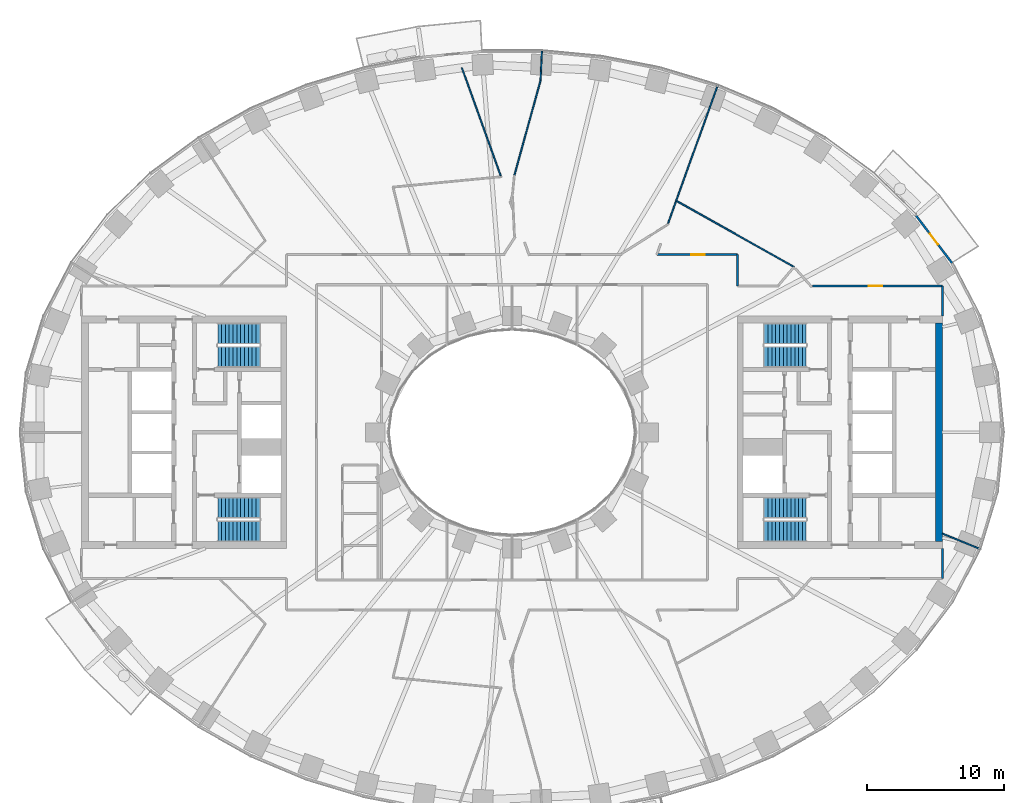
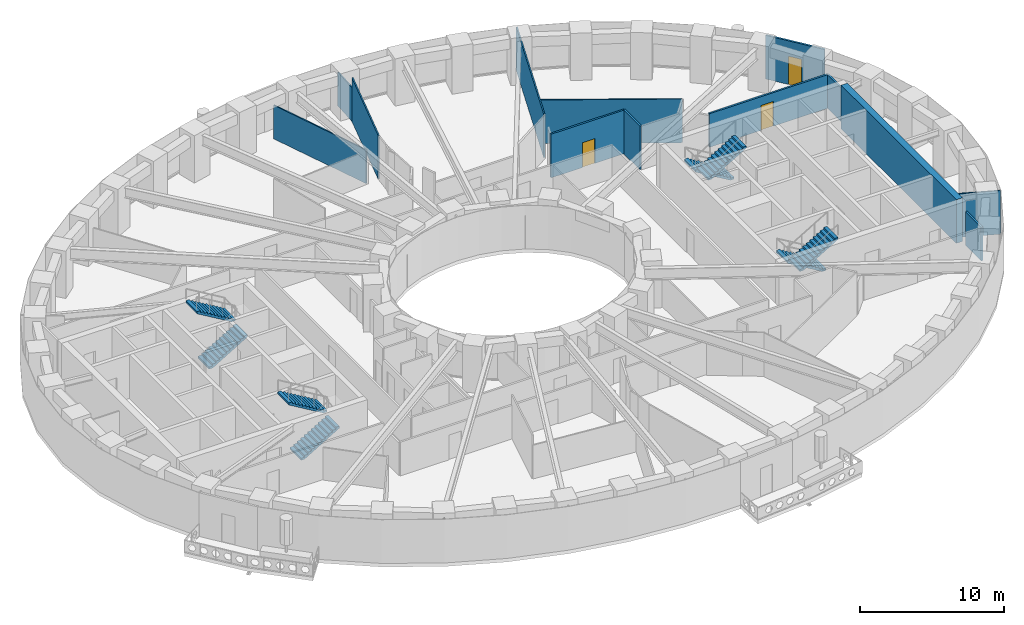
# One storey, part 7 of 16: 13 walls, 8 stair flights, 3 doors, 3 openings, 4 elements without a shape of their own.
"""IFC4 building model written with IfcOpenShell, lengths in metres."""

from ifc_helpers import new_model, si_unit, direction, frame, frame_2d, origin, place, context, subcontext, project, spatial, polyline, rectangle, outline, extrude, material, layer, layer_set, type_object, element, fill, aggregate, save


model = new_model("IFC4")

# Units and contexts
model_context = context("Model", 3, precision=1e-05, world=origin(), true_north=direction((0.0, 1.0)))
body_context = subcontext(model_context, "Body", "Model", "MODEL_VIEW")
ifc_project = project(units=[si_unit("LENGTHUNIT", "METRE"), si_unit("AREAUNIT", "SQUARE_METRE"), si_unit("VOLUMEUNIT", "CUBIC_METRE"), si_unit("PLANEANGLEUNIT", "RADIAN"), si_unit("MASSUNIT", "GRAM", prefix="KILO")], contexts=[model_context])

# Site, building, storey
site_placement = place(None, origin())
site = spatial("IfcSite", under=ifc_project, at=site_placement, CompositionType="ELEMENT")
building_placement = place(site_placement, origin())
building = spatial("IfcBuilding", under=site, at=building_placement, Name="Noorbagh Ring Tower", CompositionType="ELEMENT")
storey_placement = place(building_placement, frame((0.0, 0.0, 42.5)))
storey = spatial("IfcBuildingStorey", under=building, at=storey_placement, Name="L08", CompositionType="ELEMENT", Elevation=42.5)

# Wall
ifc_material_1 = material(Name="Concrete C70/85", Category="concrete")
ifc_layer_1 = layer(ifc_material_1, 0.5)
ifc_layer_set_1 = layer_set([ifc_layer_1], Name="Concrete C70/85")
wall_type_1 = type_object("IfcWallType", Name="CORE-WALL-500-C70-85-EI240", PredefinedType="SHEAR", material=ifc_layer_set_1)
wall_1_placement = place(storey_placement, frame((31.25, -8.0, 0.0), z_axis=(0.0, 0.0, 1.0), x_axis=(0.0, 1.0, 0.0)))
element("IfcWall", 1, at=wall_1_placement, inside=storey, type_object=wall_type_1, Name="Core wall E", PredefinedType="SHEAR", context=body_context, shape_type="SweptSolid", body=[
    extrude(rectangle(XDim=16.0, YDim=0.5, at=frame_2d((8.0, 0.0))), origin(), (0.0, 0.0, 1.0), 3.699951171875),
])

# Wall, opening, door
ifc_material_2 = material(Name="Gypsum board on steel studs", Category="steel")
ifc_layer_2 = layer(ifc_material_2, 0.14990234375)
ifc_layer_set_2 = layer_set([ifc_layer_2], Name="Gypsum board on steel studs")
wall_type_2 = type_object("IfcWallType", Name="CORRIDOR PARTITION 150 EI 30", PredefinedType="PARTITIONING", material=ifc_layer_set_2)
wall_2_placement = place(storey_placement, frame((10.60693359375, 13.0, 0.0), z_axis=(0.0, 0.0, 1.0), x_axis=(1.0, 0.0, 0.0)))
wall_2 = element("IfcWall", 2, at=wall_2_placement, inside=storey, type_object=wall_type_2, Name="L08/wall/P68", PredefinedType="PARTITIONING", context=body_context, shape_type="SweptSolid", body=[
    extrude(rectangle(XDim=5.89306640625, YDim=0.14990234375, at=frame_2d((2.946533203125, 0.0))), origin(), (0.0, 0.0, 1.0), 3.699951171875),
])
opening_1_placement = place(wall_2_placement, frame((2.492919921875, 0.0, 0.0)))
opening_1 = element("IfcOpeningElement", 3, at=opening_1_placement, cuts=wall_2, Name="Opening D1", PredefinedType="OPENING", context=body_context, shape_type="SweptSolid", body=[
    extrude(rectangle(XDim=1.0, YDim=2.10009765625, at=frame_2d((0.5, 1.050048828125))), frame((0.0, 0.0849609375, 0.0), z_axis=(0.0, -1.0, 0.0), x_axis=(1.0, 0.0, 0.0)), (0.0, 0.0, 1.0), 0.169921875),
])
ifc_material_3 = material(Name="Timber, painted", Category="wood")
door_type_1 = type_object("IfcDoorType", Name="DOOR 1000 X 2100 FD30", OperationType="SINGLE_SWING_LEFT", PredefinedType="DOOR", material=ifc_material_3)
door_1_placement = place(opening_1_placement, origin())
door_1 = element("IfcDoor", 4, at=door_1_placement, inside=storey, type_object=door_type_1, Name="L08-D17", OperationType="SINGLE_SWING_LEFT", OverallHeight=2.10009765625, OverallWidth=1.0, PredefinedType="DOOR", context=body_context, shape_type="SweptSolid", body=[
    extrude(rectangle(XDim=1.0, YDim=2.10009765625, at=frame_2d((0.5, 1.050048828125))), frame((0.0, 0.02490234375, 0.0), z_axis=(0.0, -1.0, 0.0), x_axis=(1.0, 0.0, 0.0)), (0.0, 0.0, 1.0), 0.050048828125),
])
fill(opening_1, door_1)

# Wall
wall_3_placement = place(storey_placement, frame((16.5, 10.699951171875, 0.0), z_axis=(0.0, 0.0, 1.0), x_axis=(0.0, 1.0, 0.0)))
element("IfcWall", 5, at=wall_3_placement, inside=storey, type_object=wall_type_2, Name="L08/wall/P76", PredefinedType="PARTITIONING", context=body_context, shape_type="SweptSolid", body=[
    extrude(rectangle(XDim=2.300048828125, YDim=0.14990234375, at=frame_2d((1.14990234375, 0.0))), origin(), (0.0, 0.0, 1.0), 3.699951171875),
])

# Wall, opening, door
wall_4_placement = place(storey_placement, frame((21.97509765625, 10.699951171875, 0.0), z_axis=(0.0, 0.0, 1.0), x_axis=(1.0, 0.0, 0.0)))
wall_4 = element("IfcWall", 6, at=wall_4_placement, inside=storey, type_object=wall_type_2, Name="L08/wall/P83", PredefinedType="PARTITIONING", context=body_context, shape_type="SweptSolid", body=[
    extrude(rectangle(XDim=9.52490234375, YDim=0.14990234375, at=frame_2d((4.762451171875, 0.0))), origin(), (0.0, 0.0, 1.0), 2.85009765625),
])
opening_2_placement = place(wall_4_placement, frame((4.125, 0.0, 0.0)))
opening_2 = element("IfcOpeningElement", 7, at=opening_2_placement, cuts=wall_4, Name="Opening D1", PredefinedType="OPENING", context=body_context, shape_type="SweptSolid", body=[
    extrude(rectangle(XDim=1.0, YDim=2.10009765625, at=frame_2d((0.5, 1.050048828125))), frame((0.0, 0.0849609375, 0.0), z_axis=(0.0, -1.0, 0.0), x_axis=(1.0, 0.0, 0.0)), (0.0, 0.0, 1.0), 0.169921875),
])
door_2_placement = place(opening_2_placement, origin())
door_2 = element("IfcDoor", 8, at=door_2_placement, inside=storey, type_object=door_type_1, Name="L08-D19", OperationType="SINGLE_SWING_LEFT", OverallHeight=2.10009765625, OverallWidth=1.0, PredefinedType="DOOR", context=body_context, shape_type="SweptSolid", body=[
    extrude(rectangle(XDim=1.0, YDim=2.10009765625, at=frame_2d((0.5, 1.050048828125))), frame((0.0, 0.02490234375, 0.0), z_axis=(0.0, -1.0, 0.0), x_axis=(1.0, 0.0, 0.0)), (0.0, 0.0, 1.0), 0.050048828125),
])
fill(opening_2, door_2)

# Walls
for number, where, z_axis, x_axis, name in (
    (9, (31.5, -10.699951171875, 0.0), (0.0, 0.0, 1.0), (0.0, 1.0, 0.0), "L08/wall/P84"),
    (10, (31.5, 8.5, 0.0), (0.0, 0.0, 1.0), (0.0, 1.0, 0.0), "L08/wall/P86"),
):
    element("IfcWall", number, at=place(storey_placement, frame(where, z_axis=z_axis, x_axis=x_axis)), inside=storey, type_object=wall_type_2, Name=name, PredefinedType="PARTITIONING", context=body_context, shape_type="SweptSolid", body=[
        extrude(rectangle(XDim=2.199951171875, YDim=0.14990234375, at=frame_2d((1.10009765625, 0.0))), origin(), (0.0, 0.0, 1.0), 2.85009765625),
    ])

# Wall, opening, door
ifc_material_4 = material(Name="Insulated aluminium clad panel", Category="aluminium")
ifc_layer_3 = layer(ifc_material_4, 0.14990234375)
ifc_layer_set_3 = layer_set([ifc_layer_3], Name="Insulated aluminium clad panel")
wall_type_3 = type_object("IfcWallType", Name="ENV-WALL-DOOR", PredefinedType="STANDARD", material=ifc_layer_set_3)
wall_5_placement = place(storey_placement, frame((32.20751953125, 12.37353515625, 0.0), z_axis=(0.0, 0.0, 1.0), x_axis=(-0.604045763106, 0.796949632081, 0.0)))
wall_5 = element("IfcWall", 11, at=wall_5_placement, inside=storey, type_object=wall_type_3, Name="Balcony door wall chord 04", PredefinedType="STANDARD", context=body_context, shape_type="SweptSolid", body=[
    extrude(rectangle(XDim=4.42333984375, YDim=0.14990234375, at=frame_2d((2.211669921875, 0.0))), origin(), (0.0, 0.0, 1.0), 3.699951171875),
])
opening_3_placement = place(wall_5_placement, frame((1.711669921875, 0.0, 0.0)))
opening_3 = element("IfcOpeningElement", 12, at=opening_3_placement, cuts=wall_5, Name="Opening D-BL", PredefinedType="OPENING", context=body_context, shape_type="SweptSolid", body=[
    extrude(rectangle(XDim=1.0, YDim=2.39990234375, at=frame_2d((0.5, 1.199951171875))), frame((0.0, 0.0849609375, 0.0), z_axis=(0.0, -1.0, 0.0), x_axis=(1.0, 0.0, 0.0)), (0.0, 0.0, 1.0), 0.169921875),
])
ifc_material_5 = material(Name="Aluminium and glass", Category="aluminium")
door_type_2 = type_object("IfcDoorType", Name="ENV-DOOR-BALCONY", OperationType="SINGLE_SWING_LEFT", PredefinedType="DOOR", material=ifc_material_5)
door_3_placement = place(opening_3_placement, origin())
door_3 = element("IfcDoor", 13, at=door_3_placement, inside=storey, type_object=door_type_2, Name="Balcony door chord 04", OperationType="SINGLE_SWING_LEFT", OverallHeight=2.39990234375, OverallWidth=1.0, PredefinedType="DOOR", context=body_context, shape_type="SweptSolid", body=[
    extrude(rectangle(XDim=1.0, YDim=2.39990234375, at=frame_2d((0.5, 1.199951171875))), frame((0.0, 0.02490234375, 0.0), z_axis=(0.0, -1.0, 0.0), x_axis=(1.0, 0.0, 0.0)), (0.0, 0.0, 1.0), 0.050048828125),
])
fill(opening_3, door_3)

# Walls
ifc_material_6 = material(Name="Gypsum board on steel studs", Category="steel")
ifc_layer_4 = layer(ifc_material_6, 0.10009765625)
ifc_layer_set_4 = layer_set([ifc_layer_4], Name="Gypsum board on steel studs")
wall_type_4 = type_object("IfcWallType", Name="PARTITION 100 GYPSUM", PredefinedType="PARTITIONING", material=ifc_layer_set_4)
wall_6_placement = place(storey_placement, frame((-3.67236328125, 26.678466796875, 0.0), z_axis=(0.0, 0.0, 1.0), x_axis=(0.33844854349, -0.940984900734, 0.0)))
element("IfcWall", 14, at=wall_6_placement, inside=storey, type_object=wall_type_4, Name="L08/wall/P37", PredefinedType="PARTITIONING", context=body_context, shape_type="SweptSolid", body=[
    extrude(rectangle(XDim=8.424560546875, YDim=0.10009765625, at=frame_2d((4.21240234375, 0.0))), origin(), (0.0, 0.0, 1.0), 2.85009765625),
])
wall_7_placement = place(storey_placement, frame((0.172119140625, 18.7958984375, 0.0), z_axis=(0.0, 0.0, 1.0), x_axis=(0.265628515821, 0.964075459486, 0.0)))
element("IfcWall", 15, at=wall_7_placement, inside=storey, type_object=wall_type_4, Name="L08/wall/P51", PredefinedType="PARTITIONING", context=body_context, shape_type="SweptSolid", body=[
    extrude(rectangle(XDim=7.212158203125, YDim=0.10009765625, at=frame_2d((3.60595703125, 0.0))), origin(), (0.0, 0.0, 1.0), 3.699951171875),
])
wall_8_placement = place(storey_placement, frame((2.089111328125, 25.77001953125, 0.0), z_axis=(0.0, 0.0, 1.0), x_axis=(0.04733101585, 0.99887925944, 0.0)))
element("IfcWall", 16, at=wall_8_placement, inside=storey, type_object=wall_type_4, Name="L08/wall/P57", PredefinedType="PARTITIONING", context=body_context, shape_type="SweptSolid", body=[
    extrude(rectangle(XDim=2.13037109375, YDim=0.10009765625, at=frame_2d((1.065185546875, 0.0))), origin(), (0.0, 0.0, 1.0), 2.85009765625),
])
wall_9_placement = place(storey_placement, frame((11.4169921875, 15.281982421875, 0.0), z_axis=(0.0, 0.0, 1.0), x_axis=(0.338283704349, 0.941044172912, 0.0)))
element("IfcWall", 17, at=wall_9_placement, inside=storey, type_object=wall_type_4, Name="L08/wall/P70", PredefinedType="PARTITIONING", context=body_context, shape_type="SweptSolid", body=[
    extrude(rectangle(XDim=10.73388671875, YDim=0.10009765625, at=frame_2d((5.366943359375, 0.0))), origin(), (0.0, 0.0, 1.0), 3.699951171875),
])
wall_10_placement = place(storey_placement, frame((12.06005859375, 16.924072265625, 0.0), z_axis=(0.0, 0.0, 1.0), x_axis=(0.871847863021, -0.489776789718, 0.0)))
element("IfcWall", 18, at=wall_10_placement, inside=storey, type_object=wall_type_4, Name="L08/wall/P72", PredefinedType="PARTITIONING", context=body_context, shape_type="SweptSolid", body=[
    extrude(rectangle(XDim=9.83544921875, YDim=0.10009765625, at=frame_2d((4.917724609375, 0.0))), origin(), (0.0, 0.0, 1.0), 3.699951171875),
])
wall_11_placement = place(storey_placement, frame((31.5, -7.409912109375, 0.0), z_axis=(0.0, 0.0, 1.0), x_axis=(0.925344112436, -0.379128307542, 0.0)))
element("IfcWall", 19, at=wall_11_placement, inside=storey, type_object=wall_type_4, Name="L08/wall/P85", PredefinedType="PARTITIONING", context=body_context, shape_type="SweptSolid", body=[
    extrude(rectangle(XDim=2.954345703125, YDim=0.10009765625, at=frame_2d((1.47705078125, 0.0))), origin(), (0.0, 0.0, 1.0), 3.699951171875),
])

# Stair, stair flights
ifc_material_7 = material(Name="Concrete C40/50", Category="concrete")
stair_type = type_object("IfcStairType", Name="CORE-STAIR", PredefinedType="HALF_TURN_STAIR", material=ifc_material_7)
stair_1_placement = place(storey_placement, origin())
stair_1 = element("IfcStair", 20, at=stair_1_placement, inside=storey, type_object=stair_type, Name="L08 Exit stair ST1", PredefinedType="HALF_TURN_STAIR")
ifc_material_8 = material(Name="Concrete C40/50", Category="concrete")
stair_flight_type = type_object("IfcStairFlightType", Name="CORE-STAIR-FLIGHT", PredefinedType="STRAIGHT", material=ifc_material_8)
stair_flight_1_placement = place(storey_placement, frame((-21.530029296875, 5.52490234375, 0.0), z_axis=(0.0, 0.0, 1.0), x_axis=(1.0, 0.0, 0.0)))
stair_flight_1 = element("IfcStairFlight", 21, at=stair_flight_1_placement, type_object=stair_flight_type, Name="ST1 flight 1", NumberOfRisers=12, NumberOfTreads=11, PredefinedType="STRAIGHT", RiserHeight=0.166666667, TreadLength=0.28, context=body_context, shape_type="SweptSolid", body=[
    extrude(outline(polyline([(0.0, 0.0), (0.0, 0.166748046875), (0.280029296875, 0.166748046875), (0.280029296875, 0.333251953125), (0.56005859375, 0.333251953125), (0.56005859375, 0.5), (0.840087890625, 0.5), (0.840087890625, 0.666748046875), (1.1201171875, 0.666748046875), (1.1201171875, 0.833251953125), (1.39990234375, 0.833251953125), (1.39990234375, 1.0), (1.679931640625, 1.0), (1.679931640625, 1.166748046875), (1.9599609375, 1.166748046875), (1.9599609375, 1.333251953125), (2.239990234375, 1.333251953125), (2.239990234375, 1.5), (2.52001953125, 1.5), (2.52001953125, 1.666748046875), (2.800048828125, 1.666748046875), (2.800048828125, 1.833251953125), (3.080078125, 1.833251953125), (3.080078125, 2.0), (3.080078125, 1.658935546875), (0.29296875, 0.0), (0.0, 0.0)])), frame((0.0, 0.77490234375, 0.0), z_axis=(0.0, -1.0, 0.0), x_axis=(1.0, 0.0, 0.0)), (0.0, 0.0, 1.0), 1.550048828125),
])
stair_flight_2_placement = place(storey_placement, frame((-18.449951171875, 7.22509765625, 2.0), z_axis=(0.0, 0.0, 1.0), x_axis=(-1.0, 0.0, 0.0)))
stair_flight_2 = element("IfcStairFlight", 22, at=stair_flight_2_placement, type_object=stair_flight_type, Name="ST1 flight 2", NumberOfRisers=12, NumberOfTreads=11, PredefinedType="STRAIGHT", RiserHeight=0.166666667, TreadLength=0.28, context=body_context, shape_type="SweptSolid", body=[
    extrude(outline(polyline([(0.0, 0.0), (0.0, 0.166748046875), (0.280029296875, 0.166748046875), (0.280029296875, 0.333251953125), (0.56005859375, 0.333251953125), (0.56005859375, 0.5), (0.840087890625, 0.5), (0.840087890625, 0.666748046875), (1.1201171875, 0.666748046875), (1.1201171875, 0.833251953125), (1.39990234375, 0.833251953125), (1.39990234375, 1.0), (1.679931640625, 1.0), (1.679931640625, 1.166748046875), (1.9599609375, 1.166748046875), (1.9599609375, 1.333251953125), (2.239990234375, 1.333251953125), (2.239990234375, 1.5), (2.52001953125, 1.5), (2.52001953125, 1.666748046875), (2.800048828125, 1.666748046875), (2.800048828125, 1.833251953125), (3.080078125, 1.833251953125), (3.080078125, 2.0), (3.080078125, 1.658935546875), (0.29296875, 0.0), (0.0, 0.0)])), frame((0.0, 0.77490234375, 0.0), z_axis=(0.0, -1.0, 0.0), x_axis=(1.0, 0.0, 0.0)), (0.0, 0.0, 1.0), 1.550048828125),
])
aggregate(stair_1, [stair_flight_1, stair_flight_2])

stair_2_placement = place(storey_placement, origin())
stair_2 = element("IfcStair", 23, at=stair_2_placement, inside=storey, type_object=stair_type, Name="L08 Exit stair ST2", PredefinedType="HALF_TURN_STAIR")
stair_flight_3_placement = place(storey_placement, frame((-21.530029296875, -7.22509765625, 0.0), z_axis=(0.0, 0.0, 1.0), x_axis=(1.0, 0.0, 0.0)))
stair_flight_3 = element("IfcStairFlight", 24, at=stair_flight_3_placement, type_object=stair_flight_type, Name="ST2 flight 1", NumberOfRisers=12, NumberOfTreads=11, PredefinedType="STRAIGHT", RiserHeight=0.166666667, TreadLength=0.28, context=body_context, shape_type="SweptSolid", body=[
    extrude(outline(polyline([(0.0, 0.0), (0.0, 0.166748046875), (0.280029296875, 0.166748046875), (0.280029296875, 0.333251953125), (0.56005859375, 0.333251953125), (0.56005859375, 0.5), (0.840087890625, 0.5), (0.840087890625, 0.666748046875), (1.1201171875, 0.666748046875), (1.1201171875, 0.833251953125), (1.39990234375, 0.833251953125), (1.39990234375, 1.0), (1.679931640625, 1.0), (1.679931640625, 1.166748046875), (1.9599609375, 1.166748046875), (1.9599609375, 1.333251953125), (2.239990234375, 1.333251953125), (2.239990234375, 1.5), (2.52001953125, 1.5), (2.52001953125, 1.666748046875), (2.800048828125, 1.666748046875), (2.800048828125, 1.833251953125), (3.080078125, 1.833251953125), (3.080078125, 2.0), (3.080078125, 1.658935546875), (0.29296875, 0.0), (0.0, 0.0)])), frame((0.0, 0.77490234375, 0.0), z_axis=(0.0, -1.0, 0.0), x_axis=(1.0, 0.0, 0.0)), (0.0, 0.0, 1.0), 1.550048828125),
])
stair_flight_4_placement = place(storey_placement, frame((-18.449951171875, -5.52490234375, 2.0), z_axis=(0.0, 0.0, 1.0), x_axis=(-1.0, 0.0, 0.0)))
stair_flight_4 = element("IfcStairFlight", 25, at=stair_flight_4_placement, type_object=stair_flight_type, Name="ST2 flight 2", NumberOfRisers=12, NumberOfTreads=11, PredefinedType="STRAIGHT", RiserHeight=0.166666667, TreadLength=0.28, context=body_context, shape_type="SweptSolid", body=[
    extrude(outline(polyline([(0.0, 0.0), (0.0, 0.166748046875), (0.280029296875, 0.166748046875), (0.280029296875, 0.333251953125), (0.56005859375, 0.333251953125), (0.56005859375, 0.5), (0.840087890625, 0.5), (0.840087890625, 0.666748046875), (1.1201171875, 0.666748046875), (1.1201171875, 0.833251953125), (1.39990234375, 0.833251953125), (1.39990234375, 1.0), (1.679931640625, 1.0), (1.679931640625, 1.166748046875), (1.9599609375, 1.166748046875), (1.9599609375, 1.333251953125), (2.239990234375, 1.333251953125), (2.239990234375, 1.5), (2.52001953125, 1.5), (2.52001953125, 1.666748046875), (2.800048828125, 1.666748046875), (2.800048828125, 1.833251953125), (3.080078125, 1.833251953125), (3.080078125, 2.0), (3.080078125, 1.658935546875), (0.29296875, 0.0), (0.0, 0.0)])), frame((0.0, 0.77490234375, 0.0), z_axis=(0.0, -1.0, 0.0), x_axis=(1.0, 0.0, 0.0)), (0.0, 0.0, 1.0), 1.550048828125),
])
aggregate(stair_2, [stair_flight_3, stair_flight_4])

stair_3_placement = place(storey_placement, origin())
stair_3 = element("IfcStair", 26, at=stair_3_placement, inside=storey, type_object=stair_type, Name="L08 Exit stair ST3", PredefinedType="HALF_TURN_STAIR")
stair_flight_5_placement = place(storey_placement, frame((21.530029296875, 7.22509765625, 0.0), z_axis=(0.0, 0.0, 1.0), x_axis=(-1.0, 0.0, 0.0)))
stair_flight_5 = element("IfcStairFlight", 27, at=stair_flight_5_placement, type_object=stair_flight_type, Name="ST3 flight 1", NumberOfRisers=12, NumberOfTreads=11, PredefinedType="STRAIGHT", RiserHeight=0.166666667, TreadLength=0.28, context=body_context, shape_type="SweptSolid", body=[
    extrude(outline(polyline([(0.0, 0.0), (0.0, 0.166748046875), (0.280029296875, 0.166748046875), (0.280029296875, 0.333251953125), (0.56005859375, 0.333251953125), (0.56005859375, 0.5), (0.840087890625, 0.5), (0.840087890625, 0.666748046875), (1.1201171875, 0.666748046875), (1.1201171875, 0.833251953125), (1.39990234375, 0.833251953125), (1.39990234375, 1.0), (1.679931640625, 1.0), (1.679931640625, 1.166748046875), (1.9599609375, 1.166748046875), (1.9599609375, 1.333251953125), (2.239990234375, 1.333251953125), (2.239990234375, 1.5), (2.52001953125, 1.5), (2.52001953125, 1.666748046875), (2.800048828125, 1.666748046875), (2.800048828125, 1.833251953125), (3.080078125, 1.833251953125), (3.080078125, 2.0), (3.080078125, 1.658935546875), (0.29296875, 0.0), (0.0, 0.0)])), frame((0.0, 0.77490234375, 0.0), z_axis=(0.0, -1.0, 0.0), x_axis=(1.0, 0.0, 0.0)), (0.0, 0.0, 1.0), 1.550048828125),
])
stair_flight_6_placement = place(storey_placement, frame((18.449951171875, 5.52490234375, 2.0), z_axis=(0.0, 0.0, 1.0), x_axis=(1.0, 0.0, 0.0)))
stair_flight_6 = element("IfcStairFlight", 28, at=stair_flight_6_placement, type_object=stair_flight_type, Name="ST3 flight 2", NumberOfRisers=12, NumberOfTreads=11, PredefinedType="STRAIGHT", RiserHeight=0.166666667, TreadLength=0.28, context=body_context, shape_type="SweptSolid", body=[
    extrude(outline(polyline([(0.0, 0.0), (0.0, 0.166748046875), (0.280029296875, 0.166748046875), (0.280029296875, 0.333251953125), (0.56005859375, 0.333251953125), (0.56005859375, 0.5), (0.840087890625, 0.5), (0.840087890625, 0.666748046875), (1.1201171875, 0.666748046875), (1.1201171875, 0.833251953125), (1.39990234375, 0.833251953125), (1.39990234375, 1.0), (1.679931640625, 1.0), (1.679931640625, 1.166748046875), (1.9599609375, 1.166748046875), (1.9599609375, 1.333251953125), (2.239990234375, 1.333251953125), (2.239990234375, 1.5), (2.52001953125, 1.5), (2.52001953125, 1.666748046875), (2.800048828125, 1.666748046875), (2.800048828125, 1.833251953125), (3.080078125, 1.833251953125), (3.080078125, 2.0), (3.080078125, 1.658935546875), (0.29296875, 0.0), (0.0, 0.0)])), frame((0.0, 0.77490234375, 0.0), z_axis=(0.0, -1.0, 0.0), x_axis=(1.0, 0.0, 0.0)), (0.0, 0.0, 1.0), 1.550048828125),
])
aggregate(stair_3, [stair_flight_5, stair_flight_6])

stair_4_placement = place(storey_placement, origin())
stair_4 = element("IfcStair", 29, at=stair_4_placement, inside=storey, type_object=stair_type, Name="L08 Exit stair ST4", PredefinedType="HALF_TURN_STAIR")
stair_flight_7_placement = place(storey_placement, frame((21.530029296875, -5.52490234375, 0.0), z_axis=(0.0, 0.0, 1.0), x_axis=(-1.0, 0.0, 0.0)))
stair_flight_7 = element("IfcStairFlight", 30, at=stair_flight_7_placement, type_object=stair_flight_type, Name="ST4 flight 1", NumberOfRisers=12, NumberOfTreads=11, PredefinedType="STRAIGHT", RiserHeight=0.166666667, TreadLength=0.28, context=body_context, shape_type="SweptSolid", body=[
    extrude(outline(polyline([(0.0, 0.0), (0.0, 0.166748046875), (0.280029296875, 0.166748046875), (0.280029296875, 0.333251953125), (0.56005859375, 0.333251953125), (0.56005859375, 0.5), (0.840087890625, 0.5), (0.840087890625, 0.666748046875), (1.1201171875, 0.666748046875), (1.1201171875, 0.833251953125), (1.39990234375, 0.833251953125), (1.39990234375, 1.0), (1.679931640625, 1.0), (1.679931640625, 1.166748046875), (1.9599609375, 1.166748046875), (1.9599609375, 1.333251953125), (2.239990234375, 1.333251953125), (2.239990234375, 1.5), (2.52001953125, 1.5), (2.52001953125, 1.666748046875), (2.800048828125, 1.666748046875), (2.800048828125, 1.833251953125), (3.080078125, 1.833251953125), (3.080078125, 2.0), (3.080078125, 1.658935546875), (0.29296875, 0.0), (0.0, 0.0)])), frame((0.0, 0.77490234375, 0.0), z_axis=(0.0, -1.0, 0.0), x_axis=(1.0, 0.0, 0.0)), (0.0, 0.0, 1.0), 1.550048828125),
])
stair_flight_8_placement = place(storey_placement, frame((18.449951171875, -7.22509765625, 2.0), z_axis=(0.0, 0.0, 1.0), x_axis=(1.0, 0.0, 0.0)))
stair_flight_8 = element("IfcStairFlight", 31, at=stair_flight_8_placement, type_object=stair_flight_type, Name="ST4 flight 2", NumberOfRisers=12, NumberOfTreads=11, PredefinedType="STRAIGHT", RiserHeight=0.166666667, TreadLength=0.28, context=body_context, shape_type="SweptSolid", body=[
    extrude(outline(polyline([(0.0, 0.0), (0.0, 0.166748046875), (0.280029296875, 0.166748046875), (0.280029296875, 0.333251953125), (0.56005859375, 0.333251953125), (0.56005859375, 0.5), (0.840087890625, 0.5), (0.840087890625, 0.666748046875), (1.1201171875, 0.666748046875), (1.1201171875, 0.833251953125), (1.39990234375, 0.833251953125), (1.39990234375, 1.0), (1.679931640625, 1.0), (1.679931640625, 1.166748046875), (1.9599609375, 1.166748046875), (1.9599609375, 1.333251953125), (2.239990234375, 1.333251953125), (2.239990234375, 1.5), (2.52001953125, 1.5), (2.52001953125, 1.666748046875), (2.800048828125, 1.666748046875), (2.800048828125, 1.833251953125), (3.080078125, 1.833251953125), (3.080078125, 2.0), (3.080078125, 1.658935546875), (0.29296875, 0.0), (0.0, 0.0)])), frame((0.0, 0.77490234375, 0.0), z_axis=(0.0, -1.0, 0.0), x_axis=(1.0, 0.0, 0.0)), (0.0, 0.0, 1.0), 1.550048828125),
])
aggregate(stair_4, [stair_flight_7, stair_flight_8])

save(model, "model.ifc")
